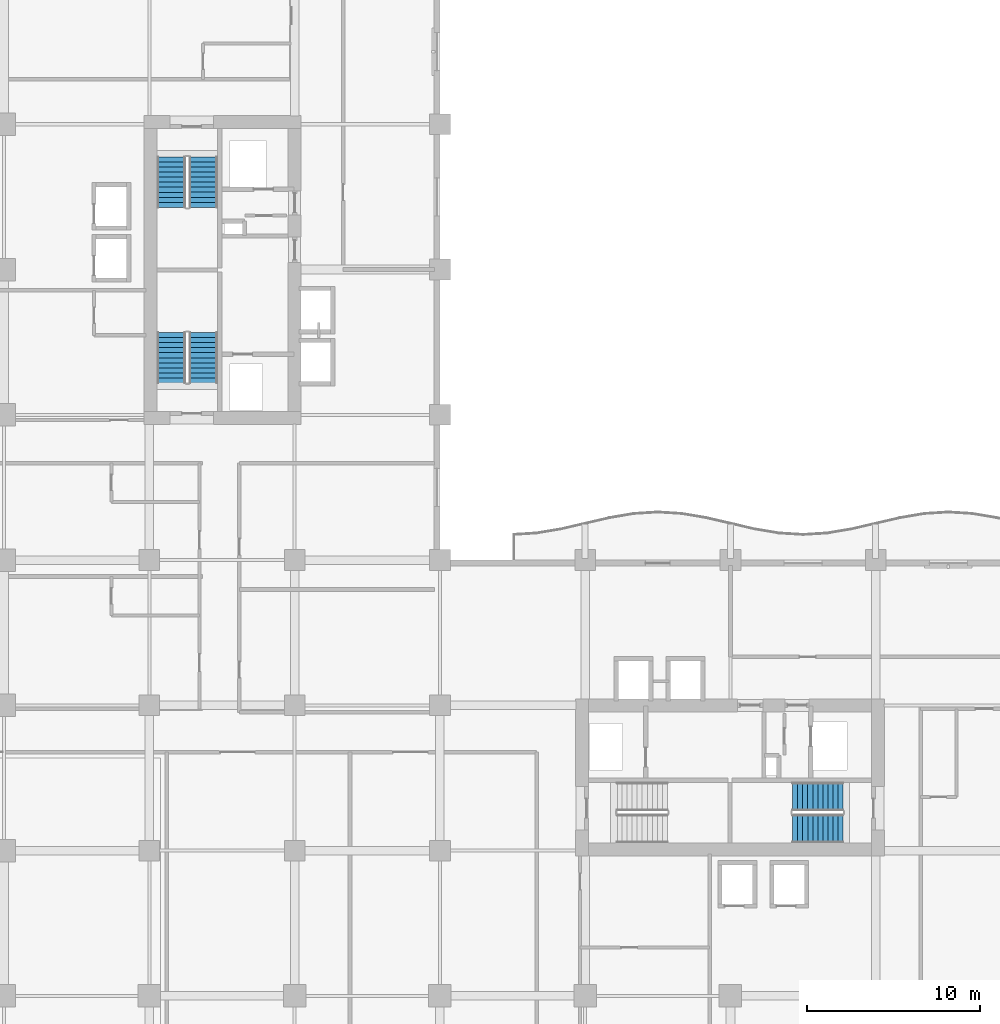
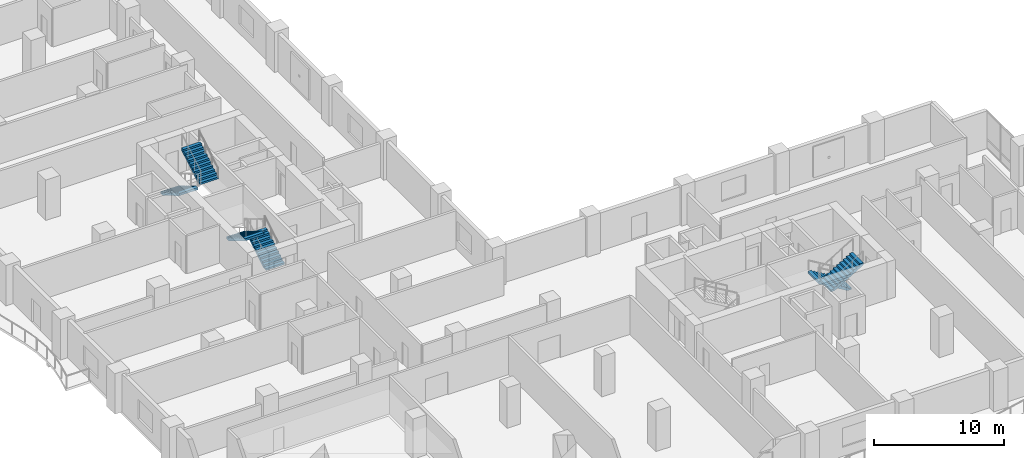
# One storey, part 17 of 24: 6 stair flights, 3 elements without a shape of their own.
"""IFC4 building model written with IfcOpenShell, lengths in metres."""

from ifc_helpers import new_model, si_unit, direction, frame, origin, place, context, subcontext, project, spatial, polyline, outline, extrude, material, type_object, element, aggregate, save


model = new_model("IFC4")

# Units and contexts
model_context = context("Model", 3, precision=1e-05, world=origin(), true_north=direction((0.0, 1.0)))
body_context = subcontext(model_context, "Body", "Model", "MODEL_VIEW")
ifc_project = project(units=[si_unit("LENGTHUNIT", "METRE"), si_unit("AREAUNIT", "SQUARE_METRE"), si_unit("VOLUMEUNIT", "CUBIC_METRE"), si_unit("PLANEANGLEUNIT", "RADIAN"), si_unit("MASSUNIT", "GRAM", prefix="KILO")], contexts=[model_context])

# Site, building, storey
site_placement = place(None, origin())
site = spatial("IfcSite", under=ifc_project, at=site_placement, CompositionType="ELEMENT")
building_placement = place(site_placement, origin())
building = spatial("IfcBuilding", under=site, at=building_placement, Name="Koriwani Terraces Tower", CompositionType="ELEMENT")
storey_placement = place(building_placement, frame((0.0, 0.0, 149.39990234375)))
storey = spatial("IfcBuildingStorey", under=building, at=storey_placement, Name="L36", CompositionType="ELEMENT", Elevation=149.39990234375)

# Stair, stair flights
ifc_material = material(Name="Concrete C40/50", Category="concrete")
stair_type = type_object("IfcStairType", Name="STAIR_CORE_DOGLEG_1650", PredefinedType="TWO_STRAIGHT_RUN_STAIR", material=ifc_material)
stair_1_placement = place(storey_placement, origin())
stair_1 = element("IfcStair", 1, at=stair_1_placement, inside=storey, type_object=stair_type, Name="L36 West Core Exit Stair 1", PredefinedType="HALF_TURN_STAIR")
stair_flight_type = type_object("IfcStairFlightType", Name="STAIR_FLIGHT_RC_1650", PredefinedType="STRAIGHT", material=ifc_material)
stair_flight_1_placement = place(storey_placement, frame((19.925048828125, 43.85009765625, 0.0), z_axis=(0.0, 0.0, 1.0), x_axis=(0.0, 1.0, 0.0)))
stair_flight_1 = element("IfcStairFlight", 2, at=stair_flight_1_placement, type_object=stair_flight_type, Name="ST-W1 flight 1", NumberOfRisers=11, NumberOfTreads=10, PredefinedType="STRAIGHT", RiserHeight=0.172727273, TreadLength=0.29, context=body_context, shape_type="SweptSolid", body=[
    extrude(outline(polyline([(0.0, 0.0), (0.0, 0.172607421875), (0.2900390625, 0.172607421875), (0.2900390625, 0.345458984375), (0.580078125, 0.345458984375), (0.580078125, 0.51806640625), (0.8701171875, 0.51806640625), (0.8701171875, 0.69091796875), (1.159912109375, 0.69091796875), (1.159912109375, 0.863525390625), (1.449951171875, 0.863525390625), (1.449951171875, 1.036376953125), (1.739990234375, 1.036376953125), (1.739990234375, 1.208984375), (2.030029296875, 1.208984375), (2.030029296875, 1.3818359375), (2.320068359375, 1.3818359375), (2.320068359375, 1.554443359375), (2.610107421875, 1.554443359375), (2.610107421875, 1.727294921875), (2.89990234375, 1.727294921875), (2.89990234375, 1.89990234375), (2.89990234375, 1.517822265625), (0.3515625, 0.0), (0.0, 0.0)])), frame((0.0, 0.824951171875, 0.0), z_axis=(0.0, -1.0, 0.0), x_axis=(1.0, 0.0, 0.0)), (0.0, 0.0, 1.0), 1.64990234375),
])
stair_flight_2_placement = place(storey_placement, frame((18.074951171875, 46.75, 1.900146484375), z_axis=(0.0, 0.0, 1.0), x_axis=(0.0, -1.0, 0.0)))
stair_flight_2 = element("IfcStairFlight", 3, at=stair_flight_2_placement, type_object=stair_flight_type, Name="ST-W1 flight 2", NumberOfRisers=11, NumberOfTreads=10, PredefinedType="STRAIGHT", RiserHeight=0.172727273, TreadLength=0.29, context=body_context, shape_type="SweptSolid", body=[
    extrude(outline(polyline([(0.0, 0.0), (0.0, 0.172607421875), (0.2900390625, 0.172607421875), (0.2900390625, 0.345458984375), (0.580078125, 0.345458984375), (0.580078125, 0.51806640625), (0.8701171875, 0.51806640625), (0.8701171875, 0.69091796875), (1.159912109375, 0.69091796875), (1.159912109375, 0.863525390625), (1.449951171875, 0.863525390625), (1.449951171875, 1.036376953125), (1.739990234375, 1.036376953125), (1.739990234375, 1.208984375), (2.030029296875, 1.208984375), (2.030029296875, 1.3818359375), (2.320068359375, 1.3818359375), (2.320068359375, 1.554443359375), (2.610107421875, 1.554443359375), (2.610107421875, 1.727294921875), (2.89990234375, 1.727294921875), (2.89990234375, 1.89990234375), (2.89990234375, 1.517822265625), (0.3515625, 0.0), (0.0, 0.0)])), frame((0.0, 0.824951171875, 0.0), z_axis=(0.0, -1.0, 0.0), x_axis=(1.0, 0.0, 0.0)), (0.0, 0.0, 1.0), 1.64990234375),
])
aggregate(stair_1, [stair_flight_1, stair_flight_2])

stair_2_placement = place(storey_placement, origin())
stair_2 = element("IfcStair", 4, at=stair_2_placement, inside=storey, type_object=stair_type, Name="L36 West Core Exit Stair 2", PredefinedType="HALF_TURN_STAIR")
stair_flight_3_placement = place(storey_placement, frame((18.074951171875, 56.89990234375, 0.0), z_axis=(0.0, 0.0, 1.0), x_axis=(0.0, -1.0, 0.0)))
stair_flight_3 = element("IfcStairFlight", 5, at=stair_flight_3_placement, type_object=stair_flight_type, Name="ST-W2 flight 1", NumberOfRisers=11, NumberOfTreads=10, PredefinedType="STRAIGHT", RiserHeight=0.172727273, TreadLength=0.29, context=body_context, shape_type="SweptSolid", body=[
    extrude(outline(polyline([(0.0, 0.0), (0.0, 0.172607421875), (0.2900390625, 0.172607421875), (0.2900390625, 0.345458984375), (0.580078125, 0.345458984375), (0.580078125, 0.51806640625), (0.8701171875, 0.51806640625), (0.8701171875, 0.69091796875), (1.159912109375, 0.69091796875), (1.159912109375, 0.863525390625), (1.449951171875, 0.863525390625), (1.449951171875, 1.036376953125), (1.739990234375, 1.036376953125), (1.739990234375, 1.208984375), (2.030029296875, 1.208984375), (2.030029296875, 1.3818359375), (2.320068359375, 1.3818359375), (2.320068359375, 1.554443359375), (2.610107421875, 1.554443359375), (2.610107421875, 1.727294921875), (2.89990234375, 1.727294921875), (2.89990234375, 1.89990234375), (2.89990234375, 1.517822265625), (0.3515625, 0.0), (0.0, 0.0)])), frame((0.0, 0.824951171875, 0.0), z_axis=(0.0, -1.0, 0.0), x_axis=(1.0, 0.0, 0.0)), (0.0, 0.0, 1.0), 1.64990234375),
])
stair_flight_4_placement = place(storey_placement, frame((19.925048828125, 54.0, 1.900146484375), z_axis=(0.0, 0.0, 1.0), x_axis=(0.0, 1.0, 0.0)))
stair_flight_4 = element("IfcStairFlight", 6, at=stair_flight_4_placement, type_object=stair_flight_type, Name="ST-W2 flight 2", NumberOfRisers=11, NumberOfTreads=10, PredefinedType="STRAIGHT", RiserHeight=0.172727273, TreadLength=0.29, context=body_context, shape_type="SweptSolid", body=[
    extrude(outline(polyline([(0.0, 0.0), (0.0, 0.172607421875), (0.2900390625, 0.172607421875), (0.2900390625, 0.345458984375), (0.580078125, 0.345458984375), (0.580078125, 0.51806640625), (0.8701171875, 0.51806640625), (0.8701171875, 0.69091796875), (1.159912109375, 0.69091796875), (1.159912109375, 0.863525390625), (1.449951171875, 0.863525390625), (1.449951171875, 1.036376953125), (1.739990234375, 1.036376953125), (1.739990234375, 1.208984375), (2.030029296875, 1.208984375), (2.030029296875, 1.3818359375), (2.320068359375, 1.3818359375), (2.320068359375, 1.554443359375), (2.610107421875, 1.554443359375), (2.610107421875, 1.727294921875), (2.89990234375, 1.727294921875), (2.89990234375, 1.89990234375), (2.89990234375, 1.517822265625), (0.3515625, 0.0), (0.0, 0.0)])), frame((0.0, 0.824951171875, 0.0), z_axis=(0.0, -1.0, 0.0), x_axis=(1.0, 0.0, 0.0)), (0.0, 0.0, 1.0), 1.64990234375),
])
aggregate(stair_2, [stair_flight_3, stair_flight_4])

stair_3_placement = place(storey_placement, origin())
stair_3 = element("IfcStair", 7, at=stair_3_placement, inside=storey, type_object=stair_type, Name="L36 East Core Exit Stair 2", PredefinedType="HALF_TURN_STAIR")
stair_flight_5_placement = place(storey_placement, frame((56.89990234375, 19.925048828125, 0.0), z_axis=(0.0, 0.0, 1.0), x_axis=(-1.0, 0.0, 0.0)))
stair_flight_5 = element("IfcStairFlight", 8, at=stair_flight_5_placement, type_object=stair_flight_type, Name="ST-E2 flight 1", NumberOfRisers=11, NumberOfTreads=10, PredefinedType="STRAIGHT", RiserHeight=0.172727273, TreadLength=0.29, context=body_context, shape_type="SweptSolid", body=[
    extrude(outline(polyline([(0.0, 0.0), (0.0, 0.172607421875), (0.2900390625, 0.172607421875), (0.2900390625, 0.345458984375), (0.580078125, 0.345458984375), (0.580078125, 0.51806640625), (0.8701171875, 0.51806640625), (0.8701171875, 0.69091796875), (1.159912109375, 0.69091796875), (1.159912109375, 0.863525390625), (1.449951171875, 0.863525390625), (1.449951171875, 1.036376953125), (1.739990234375, 1.036376953125), (1.739990234375, 1.208984375), (2.030029296875, 1.208984375), (2.030029296875, 1.3818359375), (2.320068359375, 1.3818359375), (2.320068359375, 1.554443359375), (2.610107421875, 1.554443359375), (2.610107421875, 1.727294921875), (2.89990234375, 1.727294921875), (2.89990234375, 1.89990234375), (2.89990234375, 1.517822265625), (0.3515625, 0.0), (0.0, 0.0)])), frame((0.0, 0.824951171875, 0.0), z_axis=(0.0, -1.0, 0.0), x_axis=(1.0, 0.0, 0.0)), (0.0, 0.0, 1.0), 1.64990234375),
])
stair_flight_6_placement = place(storey_placement, frame((54.0, 18.074951171875, 1.900146484375), z_axis=(0.0, 0.0, 1.0), x_axis=(1.0, 0.0, 0.0)))
stair_flight_6 = element("IfcStairFlight", 9, at=stair_flight_6_placement, type_object=stair_flight_type, Name="ST-E2 flight 2", NumberOfRisers=11, NumberOfTreads=10, PredefinedType="STRAIGHT", RiserHeight=0.172727273, TreadLength=0.29, context=body_context, shape_type="SweptSolid", body=[
    extrude(outline(polyline([(0.0, 0.0), (0.0, 0.172607421875), (0.2900390625, 0.172607421875), (0.2900390625, 0.345458984375), (0.580078125, 0.345458984375), (0.580078125, 0.51806640625), (0.8701171875, 0.51806640625), (0.8701171875, 0.69091796875), (1.159912109375, 0.69091796875), (1.159912109375, 0.863525390625), (1.449951171875, 0.863525390625), (1.449951171875, 1.036376953125), (1.739990234375, 1.036376953125), (1.739990234375, 1.208984375), (2.030029296875, 1.208984375), (2.030029296875, 1.3818359375), (2.320068359375, 1.3818359375), (2.320068359375, 1.554443359375), (2.610107421875, 1.554443359375), (2.610107421875, 1.727294921875), (2.89990234375, 1.727294921875), (2.89990234375, 1.89990234375), (2.89990234375, 1.517822265625), (0.3515625, 0.0), (0.0, 0.0)])), frame((0.0, 0.824951171875, 0.0), z_axis=(0.0, -1.0, 0.0), x_axis=(1.0, 0.0, 0.0)), (0.0, 0.0, 1.0), 1.64990234375),
])
aggregate(stair_3, [stair_flight_5, stair_flight_6])

save(model, "model.ifc")
